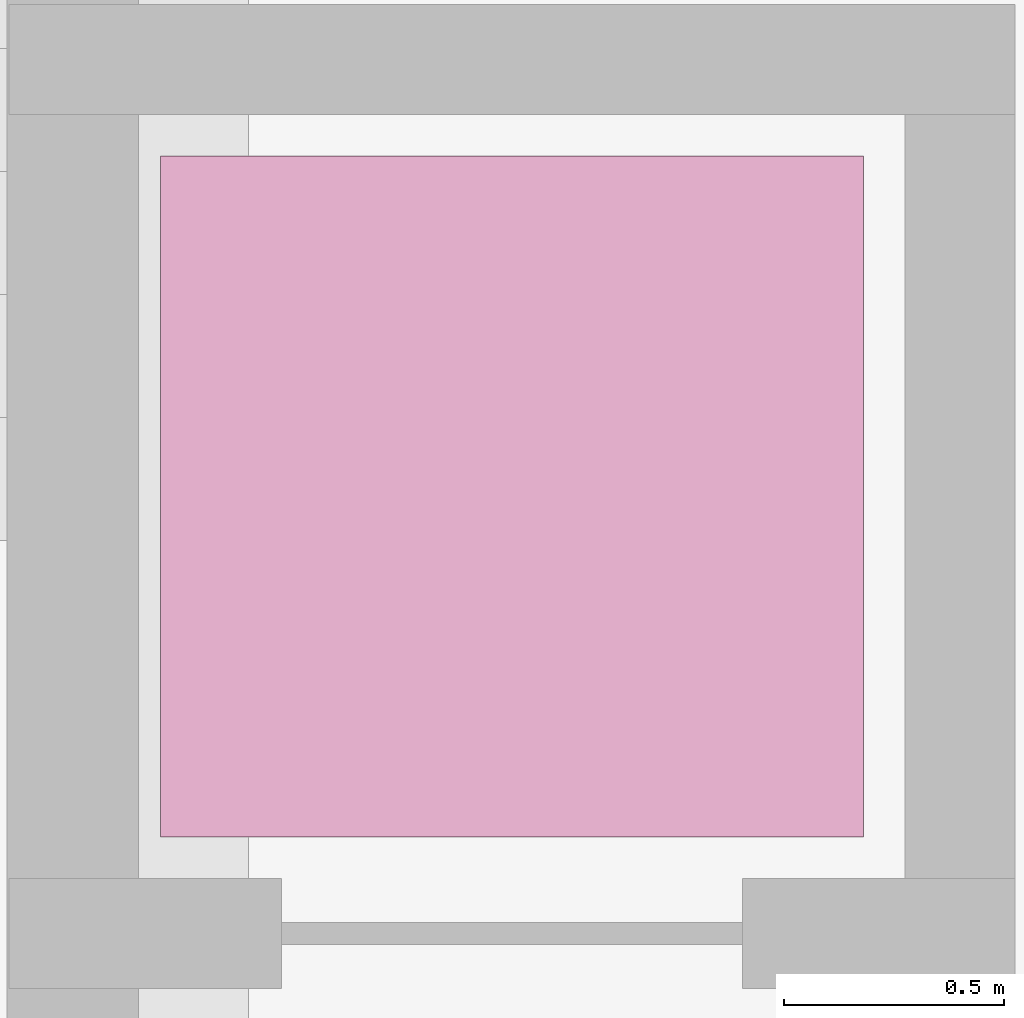
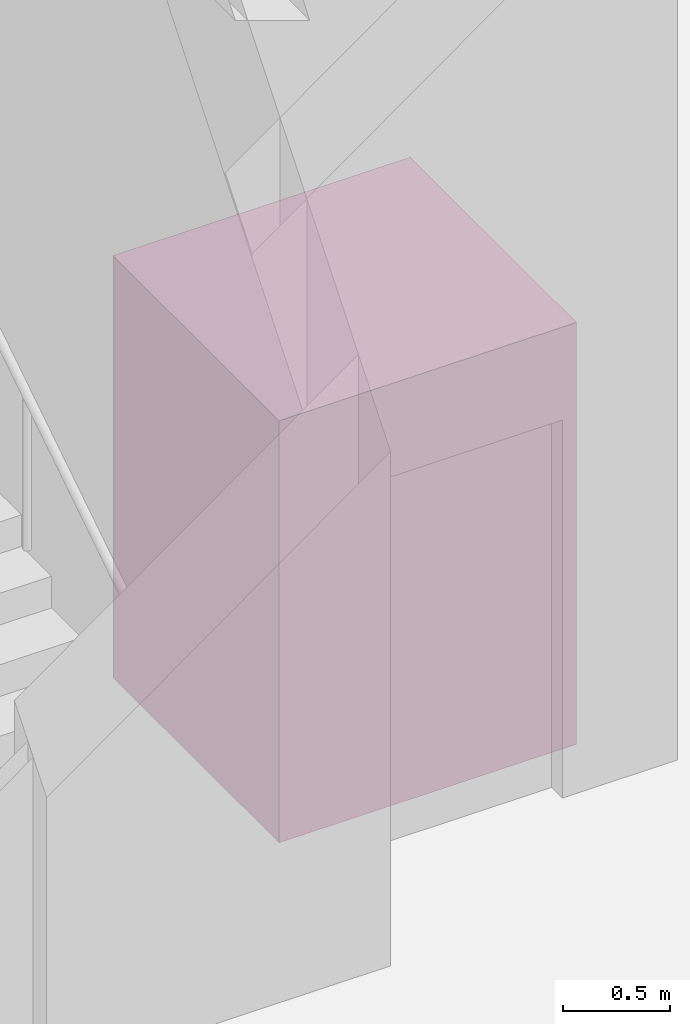
# One storey, part 70 of 70: 1 transport element.
"""IFC4 building model written with IfcOpenShell, lengths in metres."""

import ifcopenshell
import ifcopenshell.guid

model = None  # the IFC model being written
_history = None  # IfcOwnerHistory: only IFC2X3 demands one
_inside = {}  # id of a spatial element -> (the spatial element, [elements in it])
_under = {}  # id of a project, library or spatial element -> (it, [spatial elements below it])
_declared = {}  # id of a project -> (the project, [libraries it declares])
_typed = {}  # id of a type object -> (the type object, [elements of that type])
_made_of = {}  # id of a material, layer set ... -> (it, [elements and type objects made of it])


def new_model(schema):
    """Start an empty IFC model of exactly this schema.

    Asked for "IFC4X3", IfcOpenShell would pick the latest addendum, in which some entities
    have other attributes; the version numbers below select the first issue.
    IFC2X3 requires an IfcOwnerHistory on every rooted entity: one is made here for all.
    """
    global model, _history
    if schema == "IFC4X3":
        model = ifcopenshell.file(schema_version=(4, 3, 0, 0))
    else:
        model = ifcopenshell.file(schema=schema)
    _inside.clear()
    _under.clear()
    _declared.clear()
    _typed.clear()
    _made_of.clear()
    _history = None
    if model.schema == "IFC2X3":
        org = make("IfcOrganization", Name="unknown")
        user = make(
            "IfcPersonAndOrganization",
            ThePerson=make("IfcPerson", FamilyName="unknown"),
            TheOrganization=org,
        )
        app = make(
            "IfcApplication",
            ApplicationDeveloper=org,
            Version="unknown",
            ApplicationFullName="unknown",
            ApplicationIdentifier="unknown",
        )
        _history = make(
            "IfcOwnerHistory",
            OwningUser=user,
            OwningApplication=app,
            ChangeAction="ADDED",
            CreationDate=0,
        )
    return model


def make(cls, **values):
    """One entity of the class cls with the attributes given. An attribute that is None is left unset."""
    return model.create_entity(
        cls, **{name: value for name, value in values.items() if value is not None}
    )


def rooted(cls, **values):
    """An entity with a GlobalId (a new one), such as an element, a storey or a relation."""
    return make(cls, GlobalId=ifcopenshell.guid.new(), OwnerHistory=_history, **values)


def si_unit(unit_type, name, prefix=None):
    """IfcSIUnit, for example si_unit("LENGTHUNIT", "METRE", prefix="MILLI")."""
    return make("IfcSIUnit", UnitType=unit_type, Prefix=prefix, Name=name)


def assignment(units):
    """IfcUnitAssignment: the units of a project."""
    return None if units is None else make("IfcUnitAssignment", Units=units)


def point(xyz):
    """IfcCartesianPoint."""
    return None if xyz is None else make("IfcCartesianPoint", Coordinates=xyz)


def direction(xyz):
    """IfcDirection."""
    return None if xyz is None else make("IfcDirection", DirectionRatios=xyz)


def frame(location, z_axis=None, x_axis=None):
    """IfcAxis2Placement3D, a coordinate frame: its origin and axes. An axis left out is left unset."""
    return make(
        "IfcAxis2Placement3D",
        Location=point(location),
        Axis=direction(z_axis),
        RefDirection=direction(x_axis),
    )


def frame_2d(location, x_axis=None):
    """IfcAxis2Placement2D, a coordinate frame in the plane: its origin and x axis."""
    return make(
        "IfcAxis2Placement2D", Location=point(location), RefDirection=direction(x_axis)
    )


def origin():
    """The frame at (0, 0, 0) with its axes left unset."""
    return frame((0.0, 0.0, 0.0))


def origin_2d():
    """The frame at (0, 0) in the plane with its x axis left unset."""
    return frame_2d((0.0, 0.0))


def place(relative_to, where):
    """IfcLocalPlacement: puts the frame where relative to a parent placement (None: the world)."""
    return make(
        "IfcLocalPlacement", PlacementRelTo=relative_to, RelativePlacement=where
    )


def context(
    kind, dimensions, precision=None, world=None, true_north=None, identifier=None
):
    """IfcGeometricRepresentationContext, for example the 3D "Model" context."""
    return make(
        "IfcGeometricRepresentationContext",
        ContextIdentifier=identifier,
        ContextType=kind,
        CoordinateSpaceDimension=dimensions,
        Precision=precision,
        WorldCoordinateSystem=world,
        TrueNorth=true_north,
    )


def subcontext(parent, identifier, kind, view, scale=None):
    """IfcGeometricRepresentationSubContext, for example "Body" below "Model"."""
    return make(
        "IfcGeometricRepresentationSubContext",
        ContextIdentifier=identifier,
        ContextType=kind,
        ParentContext=parent,
        TargetScale=scale,
        TargetView=view,
    )


def project(units=None, contexts=None):
    """IfcProject with its units and contexts."""
    return rooted(
        "IfcProject",
        Name="project",
        RepresentationContexts=contexts,
        UnitsInContext=assignment(units),
    )


def spatial(cls, under=None, at=None, **own):
    """A site, building, storey or space (cls), placed at a placement, below another one or the project."""
    s = rooted(cls, ObjectPlacement=at, **own)
    if under is not None:
        _under.setdefault(under.id(), (under, []))[1].append(s)
    return s


def profile(cls, at=None, kind="AREA", **sizes):
    """A parametric profile (cls). Its sizes go by their IFC names, for example OverallWidth=200.0."""
    return make(cls, ProfileType=kind, Position=at, **sizes)


def rectangle(**sizes):
    """IfcRectangleProfileDef."""
    return profile("IfcRectangleProfileDef", **sizes)


def extrude(swept, where, along, depth):
    """IfcExtrudedAreaSolid: the profile swept, set in the frame where, extruded along a direction by depth."""
    return make(
        "IfcExtrudedAreaSolid",
        SweptArea=swept,
        Position=where,
        ExtrudedDirection=direction(along),
        Depth=depth,
    )


def shape(context_of_items, identifier, shape_type, items):
    """IfcShapeRepresentation: the items that make up one representation, for example the "Body"."""
    return make(
        "IfcShapeRepresentation",
        ContextOfItems=context_of_items,
        RepresentationIdentifier=identifier,
        RepresentationType=shape_type,
        Items=items,
    )


def material(Name=None, Category=None):
    """IfcMaterial."""
    return make("IfcMaterial", Name=Name, Category=Category)


def made_of(thing, what):
    """Note that an element or type object is made of a material, layer set ...; save() writes the relation."""
    if what is not None:
        _made_of.setdefault(what.id(), (what, []))[1].append(thing)
    return thing


def type_object(cls, material=None, **own):
    """A type object (cls), such as IfcWallType, which elements share."""
    return made_of(rooted(cls, **own), material)


def element(
    cls,
    number,
    at=None,
    inside=None,
    cuts=None,
    type_object=None,
    material=None,
    context=None,
    identifier="Body",
    shape_type=None,
    held_by="IfcProductDefinitionShape",
    body=None,
    shapes=None,
    **own,
):
    """One element of the class cls, such as IfcWall. Its Tag is "e" and its number.

    at: its placement. inside: the storey or other place that contains it. cuts: it is an
    opening in that element (IfcRelVoidsElement). A single representation is given by context,
    identifier, shape_type and body (its items); several are given by shapes. held_by: the class
    of the entity that holds the representations. save() writes the other relations.
    """
    e = rooted(cls, Tag="e%d" % number, ObjectPlacement=at, **own)
    if body is not None:
        shapes = [shape(context, identifier, shape_type, body)]
    if shapes is not None:
        e.Representation = make(held_by, Representations=shapes)
    if inside is not None:
        _inside.setdefault(inside.id(), (inside, []))[1].append(e)
    if cuts is not None:
        rooted(
            "IfcRelVoidsElement", RelatingBuildingElement=cuts, RelatedOpeningElement=e
        )
    if type_object is not None:
        _typed.setdefault(type_object.id(), (type_object, []))[1].append(e)
    return made_of(e, material)


def aggregate(whole, parts):
    """IfcRelAggregates: a whole, such as a stair, and the parts it consists of."""
    return rooted("IfcRelAggregates", RelatingObject=whole, RelatedObjects=parts)


def save(model, path):
    """Write the relations noted so far, then the file.

    IfcRelAggregates (storeys below a building ...), IfcRelContainedInSpatialStructure (elements
    in a storey), IfcRelDefinesByType, IfcRelAssociatesMaterial and IfcRelDeclares: one each for
    every whole, place, type object, material and project.
    """
    for whole, parts in _under.values():
        aggregate(whole, parts)
    for where, things in _inside.values():
        rooted(
            "IfcRelContainedInSpatialStructure",
            RelatedElements=things,
            RelatingStructure=where,
        )
    for kind, things in _typed.values():
        rooted("IfcRelDefinesByType", RelatedObjects=things, RelatingType=kind)
    for what, things in _made_of.values():
        rooted("IfcRelAssociatesMaterial", RelatedObjects=things, RelatingMaterial=what)
    for by, libraries in _declared.values():
        rooted("IfcRelDeclares", RelatingContext=by, RelatedDefinitions=libraries)
    model.write(path)


model = new_model("IFC4")

# Units and contexts
model_context = context("Model", 3, precision=1e-05, world=origin(), true_north=direction((0.0, 1.0)))
body_context = subcontext(model_context, "Body", "Model", "MODEL_VIEW")
ifc_project = project(units=[si_unit("LENGTHUNIT", "METRE"), si_unit("AREAUNIT", "SQUARE_METRE"), si_unit("VOLUMEUNIT", "CUBIC_METRE"), si_unit("PLANEANGLEUNIT", "RADIAN"), si_unit("MASSUNIT", "GRAM", prefix="KILO")], contexts=[model_context])

# Site, building, storey
site_placement = place(None, origin())
site = spatial("IfcSite", under=ifc_project, at=site_placement, CompositionType="ELEMENT")
building_placement = place(site_placement, origin())
building = spatial("IfcBuilding", under=site, at=building_placement, Name="Miralva Faculty of Natural Sciences", CompositionType="ELEMENT")
storey_placement = place(building_placement, origin())
storey = spatial("IfcBuildingStorey", under=building, at=storey_placement, Name="L00", CompositionType="ELEMENT", Elevation=0.0)

# Transport element
ifc_material = material(Name="Stainless steel", Category="steel")
transport_element_type = type_object("IfcTransportElementType", Name="LFT-PAS01", PredefinedType="ELEVATOR", material=ifc_material)
transport_element_placement = place(storey_placement, frame((151.5, 48.199951171875, 0.0), z_axis=(0.0, 0.0, 1.0), x_axis=(1.0, 0.0, 0.0)))
element("IfcTransportElement", 1, at=transport_element_placement, inside=storey, type_object=transport_element_type, Name="Elevator L-06", PredefinedType="ELEVATOR", context=body_context, shape_type="SweptSolid", body=[
    extrude(rectangle(XDim=1.60009765625, YDim=1.550048828125, at=origin_2d()), origin(), (0.0, 0.0, 1.0), 2.39990234375),
])

save(model, "model.ifc")
